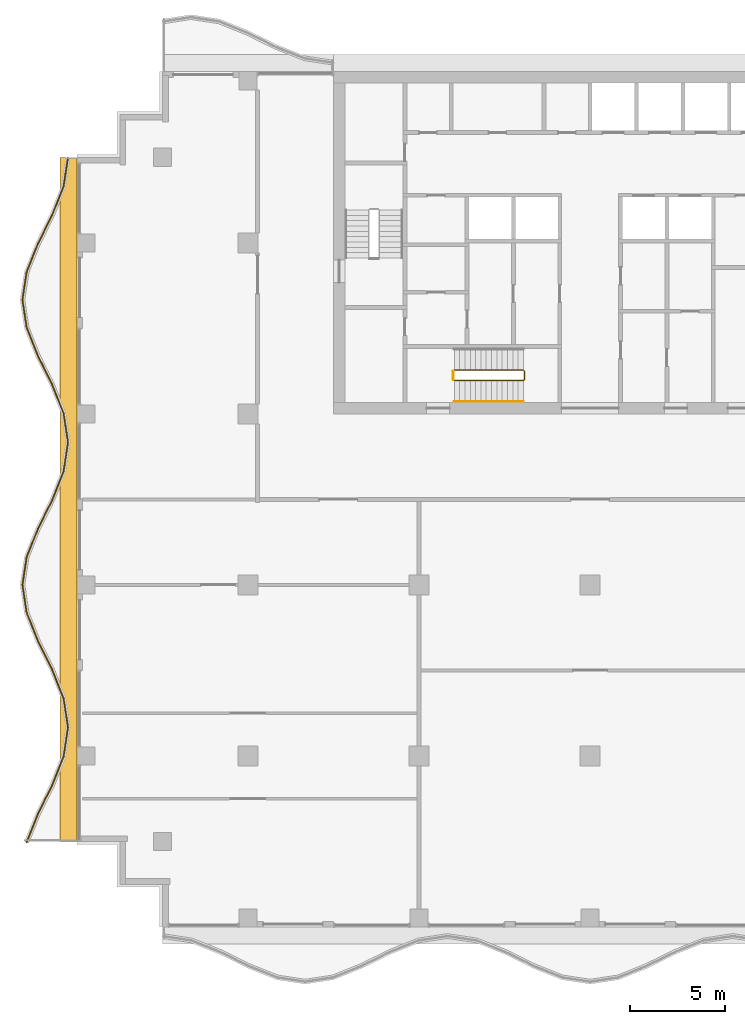
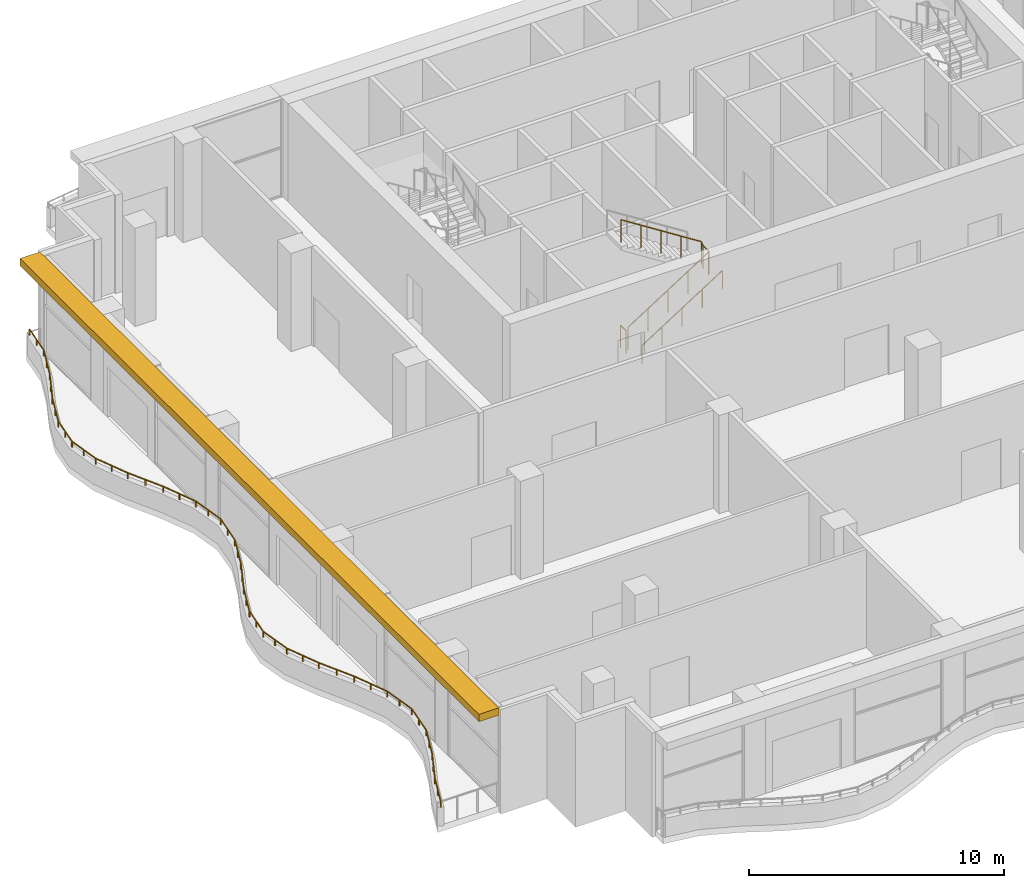
# One storey, part 12 of 15: 4 railings, 1 shading device.
"""IFC4 building model written with IfcOpenShell, lengths in metres."""

import ifcopenshell
import ifcopenshell.guid

model = None  # the IFC model being written
_history = None  # IfcOwnerHistory: only IFC2X3 demands one
_inside = {}  # id of a spatial element -> (the spatial element, [elements in it])
_under = {}  # id of a project, library or spatial element -> (it, [spatial elements below it])
_declared = {}  # id of a project -> (the project, [libraries it declares])
_typed = {}  # id of a type object -> (the type object, [elements of that type])
_made_of = {}  # id of a material, layer set ... -> (it, [elements and type objects made of it])


def new_model(schema):
    """Start an empty IFC model of exactly this schema.

    Asked for "IFC4X3", IfcOpenShell would pick the latest addendum, in which some entities
    have other attributes; the version numbers below select the first issue.
    IFC2X3 requires an IfcOwnerHistory on every rooted entity: one is made here for all.
    """
    global model, _history
    if schema == "IFC4X3":
        model = ifcopenshell.file(schema_version=(4, 3, 0, 0))
    else:
        model = ifcopenshell.file(schema=schema)
    _inside.clear()
    _under.clear()
    _declared.clear()
    _typed.clear()
    _made_of.clear()
    _history = None
    if model.schema == "IFC2X3":
        org = make("IfcOrganization", Name="unknown")
        user = make(
            "IfcPersonAndOrganization",
            ThePerson=make("IfcPerson", FamilyName="unknown"),
            TheOrganization=org,
        )
        app = make(
            "IfcApplication",
            ApplicationDeveloper=org,
            Version="unknown",
            ApplicationFullName="unknown",
            ApplicationIdentifier="unknown",
        )
        _history = make(
            "IfcOwnerHistory",
            OwningUser=user,
            OwningApplication=app,
            ChangeAction="ADDED",
            CreationDate=0,
        )
    return model


def make(cls, **values):
    """One entity of the class cls with the attributes given. An attribute that is None is left unset."""
    return model.create_entity(
        cls, **{name: value for name, value in values.items() if value is not None}
    )


def rooted(cls, **values):
    """An entity with a GlobalId (a new one), such as an element, a storey or a relation."""
    return make(cls, GlobalId=ifcopenshell.guid.new(), OwnerHistory=_history, **values)


def si_unit(unit_type, name, prefix=None):
    """IfcSIUnit, for example si_unit("LENGTHUNIT", "METRE", prefix="MILLI")."""
    return make("IfcSIUnit", UnitType=unit_type, Prefix=prefix, Name=name)


def assignment(units):
    """IfcUnitAssignment: the units of a project."""
    return None if units is None else make("IfcUnitAssignment", Units=units)


def point(xyz):
    """IfcCartesianPoint."""
    return None if xyz is None else make("IfcCartesianPoint", Coordinates=xyz)


def direction(xyz):
    """IfcDirection."""
    return None if xyz is None else make("IfcDirection", DirectionRatios=xyz)


def frame(location, z_axis=None, x_axis=None):
    """IfcAxis2Placement3D, a coordinate frame: its origin and axes. An axis left out is left unset."""
    return make(
        "IfcAxis2Placement3D",
        Location=point(location),
        Axis=direction(z_axis),
        RefDirection=direction(x_axis),
    )


def frame_2d(location, x_axis=None):
    """IfcAxis2Placement2D, a coordinate frame in the plane: its origin and x axis."""
    return make(
        "IfcAxis2Placement2D", Location=point(location), RefDirection=direction(x_axis)
    )


def origin():
    """The frame at (0, 0, 0) with its axes left unset."""
    return frame((0.0, 0.0, 0.0))


def origin_2d():
    """The frame at (0, 0) in the plane with its x axis left unset."""
    return frame_2d((0.0, 0.0))


def place(relative_to, where):
    """IfcLocalPlacement: puts the frame where relative to a parent placement (None: the world)."""
    return make(
        "IfcLocalPlacement", PlacementRelTo=relative_to, RelativePlacement=where
    )


def context(
    kind, dimensions, precision=None, world=None, true_north=None, identifier=None
):
    """IfcGeometricRepresentationContext, for example the 3D "Model" context."""
    return make(
        "IfcGeometricRepresentationContext",
        ContextIdentifier=identifier,
        ContextType=kind,
        CoordinateSpaceDimension=dimensions,
        Precision=precision,
        WorldCoordinateSystem=world,
        TrueNorth=true_north,
    )


def subcontext(parent, identifier, kind, view, scale=None):
    """IfcGeometricRepresentationSubContext, for example "Body" below "Model"."""
    return make(
        "IfcGeometricRepresentationSubContext",
        ContextIdentifier=identifier,
        ContextType=kind,
        ParentContext=parent,
        TargetScale=scale,
        TargetView=view,
    )


def project(units=None, contexts=None):
    """IfcProject with its units and contexts."""
    return rooted(
        "IfcProject",
        Name="project",
        RepresentationContexts=contexts,
        UnitsInContext=assignment(units),
    )


def spatial(cls, under=None, at=None, **own):
    """A site, building, storey or space (cls), placed at a placement, below another one or the project."""
    s = rooted(cls, ObjectPlacement=at, **own)
    if under is not None:
        _under.setdefault(under.id(), (under, []))[1].append(s)
    return s


def polyline(points):
    """IfcPolyline through the points."""
    return make("IfcPolyline", Points=[point(p) for p in points])


def profile(cls, at=None, kind="AREA", **sizes):
    """A parametric profile (cls). Its sizes go by their IFC names, for example OverallWidth=200.0."""
    return make(cls, ProfileType=kind, Position=at, **sizes)


def rectangle(**sizes):
    """IfcRectangleProfileDef."""
    return profile("IfcRectangleProfileDef", **sizes)


def circle(**sizes):
    """IfcCircleProfileDef."""
    return profile("IfcCircleProfileDef", **sizes)


def outline(outer, holes=None, kind="AREA"):
    """IfcArbitraryClosedProfileDef: a profile drawn as a closed curve; with holes, ...WithVoids."""
    if holes is None:
        return make("IfcArbitraryClosedProfileDef", ProfileType=kind, OuterCurve=outer)
    return make(
        "IfcArbitraryProfileDefWithVoids",
        ProfileType=kind,
        OuterCurve=outer,
        InnerCurves=holes,
    )


def extrude(swept, where, along, depth):
    """IfcExtrudedAreaSolid: the profile swept, set in the frame where, extruded along a direction by depth."""
    return make(
        "IfcExtrudedAreaSolid",
        SweptArea=swept,
        Position=where,
        ExtrudedDirection=direction(along),
        Depth=depth,
    )


def shape(context_of_items, identifier, shape_type, items):
    """IfcShapeRepresentation: the items that make up one representation, for example the "Body"."""
    return make(
        "IfcShapeRepresentation",
        ContextOfItems=context_of_items,
        RepresentationIdentifier=identifier,
        RepresentationType=shape_type,
        Items=items,
    )


def material(Name=None, Category=None):
    """IfcMaterial."""
    return make("IfcMaterial", Name=Name, Category=Category)


def layer(
    of_material, thickness, ventilated=None, Name=None, Category=None, Priority=None
):
    """IfcMaterialLayer: one layer of a wall or slab, of a material (None: an air gap)."""
    return make(
        "IfcMaterialLayer",
        Material=of_material,
        LayerThickness=thickness,
        IsVentilated=ventilated,
        Name=Name,
        Category=Category,
        Priority=Priority,
    )


def layer_set(layers, Name=None):
    """IfcMaterialLayerSet."""
    return make("IfcMaterialLayerSet", MaterialLayers=layers, LayerSetName=Name)


def made_of(thing, what):
    """Note that an element or type object is made of a material, layer set ...; save() writes the relation."""
    if what is not None:
        _made_of.setdefault(what.id(), (what, []))[1].append(thing)
    return thing


def type_object(cls, material=None, **own):
    """A type object (cls), such as IfcWallType, which elements share."""
    return made_of(rooted(cls, **own), material)


def element(
    cls,
    number,
    at=None,
    inside=None,
    cuts=None,
    type_object=None,
    material=None,
    context=None,
    identifier="Body",
    shape_type=None,
    held_by="IfcProductDefinitionShape",
    body=None,
    shapes=None,
    **own,
):
    """One element of the class cls, such as IfcWall. Its Tag is "e" and its number.

    at: its placement. inside: the storey or other place that contains it. cuts: it is an
    opening in that element (IfcRelVoidsElement). A single representation is given by context,
    identifier, shape_type and body (its items); several are given by shapes. held_by: the class
    of the entity that holds the representations. save() writes the other relations.
    """
    e = rooted(cls, Tag="e%d" % number, ObjectPlacement=at, **own)
    if body is not None:
        shapes = [shape(context, identifier, shape_type, body)]
    if shapes is not None:
        e.Representation = make(held_by, Representations=shapes)
    if inside is not None:
        _inside.setdefault(inside.id(), (inside, []))[1].append(e)
    if cuts is not None:
        rooted(
            "IfcRelVoidsElement", RelatingBuildingElement=cuts, RelatedOpeningElement=e
        )
    if type_object is not None:
        _typed.setdefault(type_object.id(), (type_object, []))[1].append(e)
    return made_of(e, material)


def aggregate(whole, parts):
    """IfcRelAggregates: a whole, such as a stair, and the parts it consists of."""
    return rooted("IfcRelAggregates", RelatingObject=whole, RelatedObjects=parts)


def save(model, path):
    """Write the relations noted so far, then the file.

    IfcRelAggregates (storeys below a building ...), IfcRelContainedInSpatialStructure (elements
    in a storey), IfcRelDefinesByType, IfcRelAssociatesMaterial and IfcRelDeclares: one each for
    every whole, place, type object, material and project.
    """
    for whole, parts in _under.values():
        aggregate(whole, parts)
    for where, things in _inside.values():
        rooted(
            "IfcRelContainedInSpatialStructure",
            RelatedElements=things,
            RelatingStructure=where,
        )
    for kind, things in _typed.values():
        rooted("IfcRelDefinesByType", RelatedObjects=things, RelatingType=kind)
    for what, things in _made_of.values():
        rooted("IfcRelAssociatesMaterial", RelatedObjects=things, RelatingMaterial=what)
    for by, libraries in _declared.values():
        rooted("IfcRelDeclares", RelatingContext=by, RelatedDefinitions=libraries)
    model.write(path)


model = new_model("IFC4")

# Units and contexts
model_context = context("Model", 3, precision=1e-05, world=origin(), true_north=direction((0.0, 1.0)))
body_context = subcontext(model_context, "Body", "Model", "MODEL_VIEW")
ifc_project = project(units=[si_unit("LENGTHUNIT", "METRE"), si_unit("AREAUNIT", "SQUARE_METRE"), si_unit("VOLUMEUNIT", "CUBIC_METRE"), si_unit("PLANEANGLEUNIT", "RADIAN"), si_unit("MASSUNIT", "GRAM", prefix="KILO")], contexts=[model_context])

# Site, building, storey
site_placement = place(None, origin())
site = spatial("IfcSite", under=ifc_project, at=site_placement, CompositionType="ELEMENT")
building_placement = place(site_placement, origin())
building = spatial("IfcBuilding", under=site, at=building_placement, Name="Orbiselva Terraces", CompositionType="ELEMENT")
storey_placement = place(building_placement, frame((0.0, 0.0, 233.8)))
storey = spatial("IfcBuildingStorey", under=building, at=storey_placement, Name="L59", CompositionType="ELEMENT", Elevation=233.8)

# Railings
ifc_material_1 = material(Name="Stainless steel", Category="steel")
railing_type_1 = type_object("IfcRailingType", Name="CORE-GUARD-1100", PredefinedType="GUARDRAIL", material=ifc_material_1)
railing_1_placement = place(storey_placement, frame((-7.15, 6.25, 0.178571)))
element("IfcRailing", 1, at=railing_1_placement, inside=storey, type_object=railing_type_1, Name="L59 S3 stair guard 1", PredefinedType="GUARDRAIL", context=body_context, shape_type="SweptSolid", body=[
    extrude(circle(Radius=0.024, at=origin_2d()), frame((0.0, 0.0, 1.081), z_axis=(0.843129645223, 0.0, 0.537710332192), x_axis=(0.0, 1.0, 0.0)), (0.0, 0.0, 1.0), 4.317248),
    extrude(circle(Radius=0.024, at=origin_2d()), frame((3.64, 0.0, 3.402429), z_axis=(0.707106781187, 0.707106781187, 0.0), x_axis=(-0.707106781187, 0.707106781187, 0.0)), (0.0, 0.0, 1.0), 0.070711),
    extrude(circle(Radius=0.024, at=origin_2d()), frame((3.69, 0.05, 3.402429), z_axis=(0.0, 1.0, 0.0), x_axis=(-1.0, 0.0, 0.0)), (0.0, 0.0, 1.0), 0.45),
    extrude(circle(Radius=0.024, at=origin_2d()), frame((3.69, 0.5, 3.402429), z_axis=(-0.260333341268, 0.260333341268, 0.92975970167), x_axis=(-0.707106781187, -0.707106781187, 0.0)), (0.0, 0.0, 1.0), 0.192061),
    extrude(circle(Radius=0.024, at=origin_2d()), frame((3.64, 0.55, 3.581), z_axis=(-0.843129645223, 0.0, 0.537710332192), x_axis=(0.0, -1.0, 0.0)), (0.0, 0.0, 1.0), 4.317248),
    extrude(circle(Radius=0.021, at=origin_2d()), origin(), (0.0, 0.0, 1.0), 1.057),
    extrude(circle(Radius=0.021, at=origin_2d()), frame((0.91, 0.0, 0.580357)), (0.0, 0.0, 1.0), 1.057),
    extrude(circle(Radius=0.021, at=origin_2d()), frame((1.82, 0.0, 1.160715)), (0.0, 0.0, 1.0), 1.057),
    extrude(circle(Radius=0.021, at=origin_2d()), frame((2.73, 0.0, 1.741072)), (0.0, 0.0, 1.0), 1.057),
    extrude(circle(Radius=0.021, at=origin_2d()), frame((3.64, 0.0, 2.321429)), (0.0, 0.0, 1.0), 1.057),
    extrude(circle(Radius=0.021, at=origin_2d()), frame((3.69, 0.05, 2.321429)), (0.0, 0.0, 1.0), 1.057),
    extrude(circle(Radius=0.021, at=origin_2d()), frame((3.69, 0.5, 2.321429)), (0.0, 0.0, 1.0), 1.057),
    extrude(circle(Radius=0.021, at=origin_2d()), frame((3.64, 0.55, 2.5)), (0.0, 0.0, 1.0), 1.057),
    extrude(circle(Radius=0.021, at=origin_2d()), frame((2.73, 0.55, 3.080357)), (0.0, 0.0, 1.0), 1.057),
    extrude(circle(Radius=0.021, at=origin_2d()), frame((1.82, 0.55, 3.660715)), (0.0, 0.0, 1.0), 1.057),
    extrude(circle(Radius=0.021, at=origin_2d()), frame((0.91, 0.55, 4.241072)), (0.0, 0.0, 1.0), 1.057),
    extrude(circle(Radius=0.021, at=origin_2d()), frame((0.0, 0.55, 4.821429)), (0.0, 0.0, 1.0), 1.057),
])
railing_2_placement = place(storey_placement, frame((-7.2, 6.3, 0.0)))
element("IfcRailing", 2, at=railing_2_placement, inside=storey, type_object=railing_type_1, Name="L59 S3 stair guard 2", PredefinedType="GUARDRAIL", context=body_context, shape_type="SweptSolid", body=[
    extrude(circle(Radius=0.024, at=origin_2d()), frame((0.0, 0.0, 1.081), z_axis=(0.0, 1.0, 0.0), x_axis=(-1.0, 0.0, 0.0)), (0.0, 0.0, 1.0), 0.45),
    extrude(circle(Radius=0.021, at=origin_2d()), origin(), (0.0, 0.0, 1.0), 1.057),
    extrude(circle(Radius=0.021, at=origin_2d()), frame((0.0, 0.45, 0.0)), (0.0, 0.0, 1.0), 1.057),
])
railing_type_2 = type_object("IfcRailingType", Name="CORE-HANDRAIL-900", PredefinedType="HANDRAIL", material=ifc_material_1)
railing_3_placement = place(storey_placement, frame((-7.15, 5.15, 0.178571)))
element("IfcRailing", 3, at=railing_3_placement, inside=storey, type_object=railing_type_2, Name="L59 S3 stair handrail 1", PredefinedType="HANDRAIL", context=body_context, shape_type="SweptSolid", body=[
    extrude(circle(Radius=0.024, at=origin_2d()), frame((0.0, 0.0, 0.876), z_axis=(0.843129645223, 0.0, 0.537710332192), x_axis=(0.0, 1.0, 0.0)), (0.0, 0.0, 1.0), 4.317248),
    extrude(circle(Radius=0.021, at=origin_2d()), origin(), (0.0, 0.0, 1.0), 0.852),
    extrude(circle(Radius=0.021, at=origin_2d()), frame((0.91, 0.0, 0.580357)), (0.0, 0.0, 1.0), 0.852),
    extrude(circle(Radius=0.021, at=origin_2d()), frame((1.82, 0.0, 1.160715)), (0.0, 0.0, 1.0), 0.852),
    extrude(circle(Radius=0.021, at=origin_2d()), frame((2.73, 0.0, 1.741072)), (0.0, 0.0, 1.0), 0.852),
    extrude(circle(Radius=0.021, at=origin_2d()), frame((3.64, 0.0, 2.321429)), (0.0, 0.0, 1.0), 0.852),
])
ifc_material_2 = material(Name="Bonded two-ply safety glass balustrade, stainless steel posts", Category="steel")
railing_type_3 = type_object("IfcRailingType", Name="ENV-BALUSTRADE-1200", PredefinedType="BALUSTRADE", material=ifc_material_2)
railing_4_placement = place(storey_placement, frame((-27.476434, 17.981121, 0.9)))
element("IfcRailing", 4, at=railing_4_placement, inside=storey, type_object=railing_type_3, Name="Balcony balustrade L59 W", PredefinedType="BALUSTRADE", context=body_context, shape_type="SweptSolid", body=[
    extrude(outline(polyline([(0.028868, 0.0), (0.014434, 0.025), (-0.014434, 0.025), (-0.028868, 0.0), (-0.014434, -0.025), (0.014434, -0.025), (0.028868, 0.0)])), frame((0.0, 0.0, 0.275), z_axis=(-0.151033869252, -0.988528588529, 0.0), x_axis=(0.988528588529, -0.151033869252, 0.0)), (0.0, 0.0, 1.0), 1.531776),
    extrude(outline(polyline([(0.028868, 0.0), (0.014434, 0.025), (-0.014434, 0.025), (-0.028868, 0.0), (-0.014434, -0.025), (0.014434, -0.025), (0.028868, 0.0)])), frame((-0.23135, -1.514204, 0.275), z_axis=(-0.371390359967, -0.92847681744, 0.0), x_axis=(0.92847681744, -0.371390359967, 0.0)), (0.0, 0.0, 1.0), 1.634838),
    extrude(outline(polyline([(0.028868, 0.0), (0.014434, 0.025), (-0.014434, 0.025), (-0.028868, 0.0), (-0.014434, -0.025), (0.014434, -0.025), (0.028868, 0.0)])), frame((-0.838513, -3.032113, 0.275), z_axis=(-0.443212307306, -0.896416672454, 0.0), x_axis=(0.896416672454, -0.443212307306, 0.0)), (0.0, 0.0, 1.0), 1.673329),
    extrude(outline(polyline([(0.028868, 0.0), (0.014434, 0.025), (-0.014434, 0.025), (-0.028868, 0.0), (-0.014434, -0.025), (0.014434, -0.025), (0.028868, 0.0)])), frame((-1.580153, -4.532113, 0.275), z_axis=(-0.371391000387, -0.928476561272, 0.0), x_axis=(0.928476561272, -0.371391000387, 0.0)), (0.0, 0.0, 1.0), 1.596261),
    extrude(outline(polyline([(0.028868, 0.0), (0.014434, 0.025), (-0.014434, 0.025), (-0.028868, 0.0), (-0.014434, -0.025), (0.014434, -0.025), (0.028868, 0.0)])), frame((-2.17299, -6.014204, 0.275), z_axis=(-0.151033749027, -0.988528606898, 0.0), x_axis=(0.988528606898, -0.151033749027, 0.0)), (0.0, 0.0, 1.0), 1.48394),
    extrude(outline(polyline([(0.028868, 0.0), (0.014434, 0.025), (-0.014434, 0.025), (-0.028868, 0.0), (-0.014434, -0.025), (0.014434, -0.025), (0.028868, 0.0)])), frame((-2.397115, -7.481121, 0.275), z_axis=(0.151033749027, -0.988528606898, 0.0), x_axis=(0.988528606898, 0.151033749027, 0.0)), (0.0, 0.0, 1.0), 1.48394),
    extrude(outline(polyline([(0.028868, 0.0), (0.014434, 0.025), (-0.014434, 0.025), (-0.028868, 0.0), (-0.014434, -0.025), (0.014434, -0.025), (0.028868, 0.0)])), frame((-2.17299, -8.948038, 0.275), z_axis=(0.371391000387, -0.928476561272, 0.0), x_axis=(0.928476561272, 0.371391000387, 0.0)), (0.0, 0.0, 1.0), 1.596261),
    extrude(outline(polyline([(0.028868, 0.0), (0.014434, 0.025), (-0.014434, 0.025), (-0.028868, 0.0), (-0.014434, -0.025), (0.014434, -0.025), (0.028868, 0.0)])), frame((-1.580153, -10.430129, 0.275), z_axis=(0.443212307306, -0.896416672454, 0.0), x_axis=(0.896416672454, 0.443212307306, 0.0)), (0.0, 0.0, 1.0), 1.673329),
    extrude(outline(polyline([(0.028868, 0.0), (0.014434, 0.025), (-0.014434, 0.025), (-0.028868, 0.0), (-0.014434, -0.025), (0.014434, -0.025), (0.028868, 0.0)])), frame((-0.838513, -11.930129, 0.275), z_axis=(0.371390359967, -0.92847681744, 0.0), x_axis=(0.92847681744, 0.371390359967, 0.0)), (0.0, 0.0, 1.0), 1.634838),
    extrude(outline(polyline([(0.028868, 0.0), (0.014434, 0.025), (-0.014434, 0.025), (-0.028868, 0.0), (-0.014434, -0.025), (0.014434, -0.025), (0.028868, 0.0)])), frame((-0.23135, -13.448038, 0.275), z_axis=(0.151034211256, -0.988528536275, 0.0), x_axis=(0.988528536275, 0.151034211256, 0.0)), (0.0, 0.0, 1.0), 1.550874),
    extrude(outline(polyline([(0.028868, 0.0), (0.014434, 0.025), (-0.014434, 0.025), (-0.028868, 0.0), (-0.014434, -0.025), (0.014434, -0.025), (0.028868, 0.0)])), frame((0.002885, -14.981121, 0.275), z_axis=(-0.151034211256, -0.988528536275, 0.0), x_axis=(0.988528536275, -0.151034211256, 0.0)), (0.0, 0.0, 1.0), 1.550874),
    extrude(outline(polyline([(0.028868, 0.0), (0.014434, 0.025), (-0.014434, 0.025), (-0.028868, 0.0), (-0.014434, -0.025), (0.014434, -0.025), (0.028868, 0.0)])), frame((-0.23135, -16.514204, 0.275), z_axis=(-0.371390359967, -0.92847681744, 0.0), x_axis=(0.92847681744, -0.371390359967, 0.0)), (0.0, 0.0, 1.0), 1.634838),
    extrude(outline(polyline([(0.028868, 0.0), (0.014434, 0.025), (-0.014434, 0.025), (-0.028868, 0.0), (-0.014434, -0.025), (0.014434, -0.025), (0.028868, 0.0)])), frame((-0.838513, -18.032113, 0.275), z_axis=(-0.443212307306, -0.896416672454, 0.0), x_axis=(0.896416672454, -0.443212307306, 0.0)), (0.0, 0.0, 1.0), 1.673329),
    extrude(outline(polyline([(0.028868, 0.0), (0.014434, 0.025), (-0.014434, 0.025), (-0.028868, 0.0), (-0.014434, -0.025), (0.014434, -0.025), (0.028868, 0.0)])), frame((-1.580153, -19.532113, 0.275), z_axis=(-0.371391000387, -0.928476561272, 0.0), x_axis=(0.928476561272, -0.371391000387, 0.0)), (0.0, 0.0, 1.0), 1.596261),
    extrude(outline(polyline([(0.028868, 0.0), (0.014434, 0.025), (-0.014434, 0.025), (-0.028868, 0.0), (-0.014434, -0.025), (0.014434, -0.025), (0.028868, 0.0)])), frame((-2.17299, -21.014204, 0.275), z_axis=(-0.151033749027, -0.988528606898, 0.0), x_axis=(0.988528606898, -0.151033749027, 0.0)), (0.0, 0.0, 1.0), 1.48394),
    extrude(outline(polyline([(0.028868, 0.0), (0.014434, 0.025), (-0.014434, 0.025), (-0.028868, 0.0), (-0.014434, -0.025), (0.014434, -0.025), (0.028868, 0.0)])), frame((-2.397115, -22.481121, 0.275), z_axis=(0.151033749027, -0.988528606898, 0.0), x_axis=(0.988528606898, 0.151033749027, 0.0)), (0.0, 0.0, 1.0), 1.48394),
    extrude(outline(polyline([(0.028868, 0.0), (0.014434, 0.025), (-0.014434, 0.025), (-0.028868, 0.0), (-0.014434, -0.025), (0.014434, -0.025), (0.028868, 0.0)])), frame((-2.17299, -23.948038, 0.275), z_axis=(0.371391000387, -0.928476561272, 0.0), x_axis=(0.928476561272, 0.371391000387, 0.0)), (0.0, 0.0, 1.0), 1.596261),
    extrude(outline(polyline([(0.028868, 0.0), (0.014434, 0.025), (-0.014434, 0.025), (-0.028868, 0.0), (-0.014434, -0.025), (0.014434, -0.025), (0.028868, 0.0)])), frame((-1.580153, -25.430129, 0.275), z_axis=(0.443212307306, -0.896416672454, 0.0), x_axis=(0.896416672454, 0.443212307306, 0.0)), (0.0, 0.0, 1.0), 1.673329),
    extrude(outline(polyline([(0.028868, 0.0), (0.014434, 0.025), (-0.014434, 0.025), (-0.028868, 0.0), (-0.014434, -0.025), (0.014434, -0.025), (0.028868, 0.0)])), frame((-0.838513, -26.930129, 0.275), z_axis=(0.371390359967, -0.92847681744, 0.0), x_axis=(0.92847681744, 0.371390359967, 0.0)), (0.0, 0.0, 1.0), 1.634838),
    extrude(outline(polyline([(0.028868, 0.0), (0.014434, 0.025), (-0.014434, 0.025), (-0.028868, 0.0), (-0.014434, -0.025), (0.014434, -0.025), (0.028868, 0.0)])), frame((-0.23135, -28.448038, 0.275), z_axis=(0.151034211256, -0.988528536275, 0.0), x_axis=(0.988528536275, 0.151034211256, 0.0)), (0.0, 0.0, 1.0), 1.550874),
    extrude(outline(polyline([(0.028868, 0.0), (0.014434, 0.025), (-0.014434, 0.025), (-0.028868, 0.0), (-0.014434, -0.025), (0.014434, -0.025), (0.028868, 0.0)])), frame((0.002885, -29.981121, 0.275), z_axis=(-0.151034211256, -0.988528536275, 0.0), x_axis=(0.988528536275, -0.151034211256, 0.0)), (0.0, 0.0, 1.0), 1.550874),
    extrude(outline(polyline([(0.028868, 0.0), (0.014434, 0.025), (-0.014434, 0.025), (-0.028868, 0.0), (-0.014434, -0.025), (0.014434, -0.025), (0.028868, 0.0)])), frame((-0.23135, -31.514204, 0.275), z_axis=(-0.371390359967, -0.92847681744, 0.0), x_axis=(0.92847681744, -0.371390359967, 0.0)), (0.0, 0.0, 1.0), 1.634838),
    extrude(outline(polyline([(0.028868, 0.0), (0.014434, 0.025), (-0.014434, 0.025), (-0.028868, 0.0), (-0.014434, -0.025), (0.014434, -0.025), (0.028868, 0.0)])), frame((-0.838513, -33.032113, 0.275), z_axis=(-0.443212307306, -0.896416672454, 0.0), x_axis=(0.896416672454, -0.443212307306, 0.0)), (0.0, 0.0, 1.0), 1.673329),
    extrude(outline(polyline([(0.028868, 0.0), (0.014434, 0.025), (-0.014434, 0.025), (-0.028868, 0.0), (-0.014434, -0.025), (0.014434, -0.025), (0.028868, 0.0)])), frame((-1.580153, -34.532113, 0.275), z_axis=(-0.371390783402, -0.928476648066, 0.0), x_axis=(0.928476648066, -0.371390783402, 0.0)), (0.0, 0.0, 1.0), 1.61063),
    extrude(rectangle(XDim=0.05, YDim=0.05, at=origin_2d()), origin(), (0.0, 0.0, 1.0), 0.25),
    extrude(rectangle(XDim=0.05, YDim=0.05, at=origin_2d()), frame((-0.115675, -0.757102, 0.0)), (0.0, 0.0, 1.0), 0.25),
    extrude(rectangle(XDim=0.05, YDim=0.05, at=origin_2d()), frame((-0.23135, -1.514204, 0.0)), (0.0, 0.0, 1.0), 0.25),
    extrude(rectangle(XDim=0.05, YDim=0.05, at=origin_2d()), frame((-0.534931, -2.273159, 0.0)), (0.0, 0.0, 1.0), 0.25),
    extrude(rectangle(XDim=0.05, YDim=0.05, at=origin_2d()), frame((-0.838513, -3.032113, 0.0)), (0.0, 0.0, 1.0), 0.25),
    extrude(rectangle(XDim=0.05, YDim=0.05, at=origin_2d()), frame((-1.209333, -3.782113, 0.0)), (0.0, 0.0, 1.0), 0.25),
    extrude(rectangle(XDim=0.05, YDim=0.05, at=origin_2d()), frame((-1.580153, -4.532113, 0.0)), (0.0, 0.0, 1.0), 0.25),
    extrude(rectangle(XDim=0.05, YDim=0.05, at=origin_2d()), frame((-1.876571, -5.273159, 0.0)), (0.0, 0.0, 1.0), 0.25),
    extrude(rectangle(XDim=0.05, YDim=0.05, at=origin_2d()), frame((-2.17299, -6.014204, 0.0)), (0.0, 0.0, 1.0), 0.25),
    extrude(rectangle(XDim=0.05, YDim=0.05, at=origin_2d()), frame((-2.285052, -6.747663, 0.0)), (0.0, 0.0, 1.0), 0.25),
    extrude(rectangle(XDim=0.05, YDim=0.05, at=origin_2d()), frame((-2.397115, -7.481121, 0.0)), (0.0, 0.0, 1.0), 0.25),
    extrude(rectangle(XDim=0.05, YDim=0.05, at=origin_2d()), frame((-2.285052, -8.21458, 0.0)), (0.0, 0.0, 1.0), 0.25),
    extrude(rectangle(XDim=0.05, YDim=0.05, at=origin_2d()), frame((-2.17299, -8.948038, 0.0)), (0.0, 0.0, 1.0), 0.25),
    extrude(rectangle(XDim=0.05, YDim=0.05, at=origin_2d()), frame((-1.876571, -9.689084, 0.0)), (0.0, 0.0, 1.0), 0.25),
    extrude(rectangle(XDim=0.05, YDim=0.05, at=origin_2d()), frame((-1.580153, -10.430129, 0.0)), (0.0, 0.0, 1.0), 0.25),
    extrude(rectangle(XDim=0.05, YDim=0.05, at=origin_2d()), frame((-1.209333, -11.180129, 0.0)), (0.0, 0.0, 1.0), 0.25),
    extrude(rectangle(XDim=0.05, YDim=0.05, at=origin_2d()), frame((-0.838513, -11.930129, 0.0)), (0.0, 0.0, 1.0), 0.25),
    extrude(rectangle(XDim=0.05, YDim=0.05, at=origin_2d()), frame((-0.534931, -12.689084, 0.0)), (0.0, 0.0, 1.0), 0.25),
    extrude(rectangle(XDim=0.05, YDim=0.05, at=origin_2d()), frame((-0.23135, -13.448038, 0.0)), (0.0, 0.0, 1.0), 0.25),
    extrude(rectangle(XDim=0.05, YDim=0.05, at=origin_2d()), frame((-0.114232, -14.21458, 0.0)), (0.0, 0.0, 1.0), 0.25),
    extrude(rectangle(XDim=0.05, YDim=0.05, at=origin_2d()), frame((0.002885, -14.981121, 0.0)), (0.0, 0.0, 1.0), 0.25),
    extrude(rectangle(XDim=0.05, YDim=0.05, at=origin_2d()), frame((-0.114232, -15.747663, 0.0)), (0.0, 0.0, 1.0), 0.25),
    extrude(rectangle(XDim=0.05, YDim=0.05, at=origin_2d()), frame((-0.23135, -16.514204, 0.0)), (0.0, 0.0, 1.0), 0.25),
    extrude(rectangle(XDim=0.05, YDim=0.05, at=origin_2d()), frame((-0.534931, -17.273158, 0.0)), (0.0, 0.0, 1.0), 0.25),
    extrude(rectangle(XDim=0.05, YDim=0.05, at=origin_2d()), frame((-0.838513, -18.032113, 0.0)), (0.0, 0.0, 1.0), 0.25),
    extrude(rectangle(XDim=0.05, YDim=0.05, at=origin_2d()), frame((-1.209333, -18.782113, 0.0)), (0.0, 0.0, 1.0), 0.25),
    extrude(rectangle(XDim=0.05, YDim=0.05, at=origin_2d()), frame((-1.580153, -19.532113, 0.0)), (0.0, 0.0, 1.0), 0.25),
    extrude(rectangle(XDim=0.05, YDim=0.05, at=origin_2d()), frame((-1.876571, -20.273158, 0.0)), (0.0, 0.0, 1.0), 0.25),
    extrude(rectangle(XDim=0.05, YDim=0.05, at=origin_2d()), frame((-2.17299, -21.014204, 0.0)), (0.0, 0.0, 1.0), 0.25),
    extrude(rectangle(XDim=0.05, YDim=0.05, at=origin_2d()), frame((-2.285052, -21.747663, 0.0)), (0.0, 0.0, 1.0), 0.25),
    extrude(rectangle(XDim=0.05, YDim=0.05, at=origin_2d()), frame((-2.397115, -22.481121, 0.0)), (0.0, 0.0, 1.0), 0.25),
    extrude(rectangle(XDim=0.05, YDim=0.05, at=origin_2d()), frame((-2.285052, -23.21458, 0.0)), (0.0, 0.0, 1.0), 0.25),
    extrude(rectangle(XDim=0.05, YDim=0.05, at=origin_2d()), frame((-2.17299, -23.948038, 0.0)), (0.0, 0.0, 1.0), 0.25),
    extrude(rectangle(XDim=0.05, YDim=0.05, at=origin_2d()), frame((-1.876571, -24.689084, 0.0)), (0.0, 0.0, 1.0), 0.25),
    extrude(rectangle(XDim=0.05, YDim=0.05, at=origin_2d()), frame((-1.580153, -25.430129, 0.0)), (0.0, 0.0, 1.0), 0.25),
    extrude(rectangle(XDim=0.05, YDim=0.05, at=origin_2d()), frame((-1.209333, -26.180129, 0.0)), (0.0, 0.0, 1.0), 0.25),
    extrude(rectangle(XDim=0.05, YDim=0.05, at=origin_2d()), frame((-0.838513, -26.930129, 0.0)), (0.0, 0.0, 1.0), 0.25),
    extrude(rectangle(XDim=0.05, YDim=0.05, at=origin_2d()), frame((-0.534931, -27.689084, 0.0)), (0.0, 0.0, 1.0), 0.25),
    extrude(rectangle(XDim=0.05, YDim=0.05, at=origin_2d()), frame((-0.23135, -28.448038, 0.0)), (0.0, 0.0, 1.0), 0.25),
    extrude(rectangle(XDim=0.05, YDim=0.05, at=origin_2d()), frame((-0.114232, -29.21458, 0.0)), (0.0, 0.0, 1.0), 0.25),
    extrude(rectangle(XDim=0.05, YDim=0.05, at=origin_2d()), frame((0.002885, -29.981121, 0.0)), (0.0, 0.0, 1.0), 0.25),
    extrude(rectangle(XDim=0.05, YDim=0.05, at=origin_2d()), frame((-0.114232, -30.747662, 0.0)), (0.0, 0.0, 1.0), 0.25),
    extrude(rectangle(XDim=0.05, YDim=0.05, at=origin_2d()), frame((-0.23135, -31.514204, 0.0)), (0.0, 0.0, 1.0), 0.25),
    extrude(rectangle(XDim=0.05, YDim=0.05, at=origin_2d()), frame((-0.534931, -32.273158, 0.0)), (0.0, 0.0, 1.0), 0.25),
    extrude(rectangle(XDim=0.05, YDim=0.05, at=origin_2d()), frame((-0.838513, -33.032113, 0.0)), (0.0, 0.0, 1.0), 0.25),
    extrude(rectangle(XDim=0.05, YDim=0.05, at=origin_2d()), frame((-1.209333, -33.782113, 0.0)), (0.0, 0.0, 1.0), 0.25),
    extrude(rectangle(XDim=0.05, YDim=0.05, at=origin_2d()), frame((-1.580153, -34.532113, 0.0)), (0.0, 0.0, 1.0), 0.25),
    extrude(rectangle(XDim=0.05, YDim=0.05, at=origin_2d()), frame((-1.879239, -35.279829, 0.0)), (0.0, 0.0, 1.0), 0.25),
    extrude(rectangle(XDim=0.05, YDim=0.05, at=origin_2d()), frame((-2.178326, -36.027545, 0.0)), (0.0, 0.0, 1.0), 0.25),
])

# Shading device
ifc_material_3 = material(Name="Terracotta baguette sunshade", Category="masonry")
ifc_layer = layer(ifc_material_3, 0.35)
ifc_layer_set = layer_set([ifc_layer], Name="Terracotta baguette sunshade")
shading_device_type = type_object("IfcShadingDeviceType", Name="ENV-SUNSHADE-900x350", PredefinedType="USERDEFINED", material=ifc_layer_set)
shading_device_placement = place(storey_placement, frame((0.0, 0.0, 4.35)))
element("IfcShadingDevice", 5, at=shading_device_placement, inside=storey, type_object=shading_device_type, Name="Sunshade band L59 W", ObjectType="SUNSHADE", PredefinedType="USERDEFINED", context=body_context, shape_type="SweptSolid", body=[
    extrude(outline(polyline([(-27.9, 18.0), (-27.9, -18.0), (-27.0, -18.0), (-27.0, 18.0), (-27.9, 18.0)])), origin(), (0.0, 0.0, 1.0), 0.35),
])

save(model, "model.ifc")
